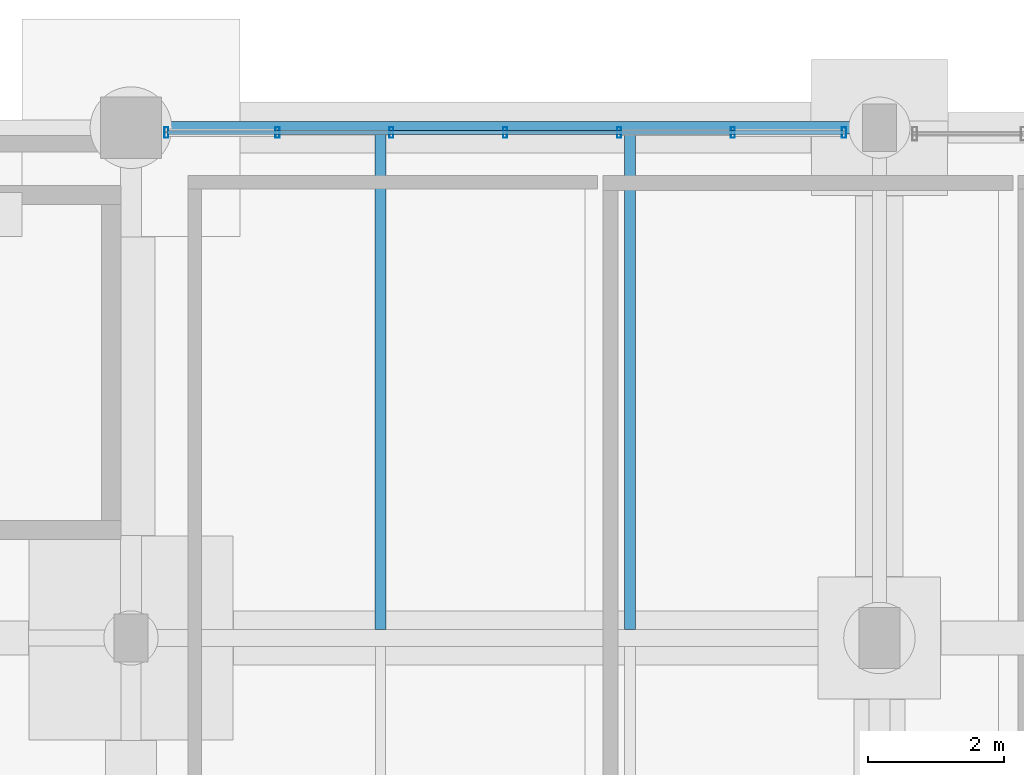
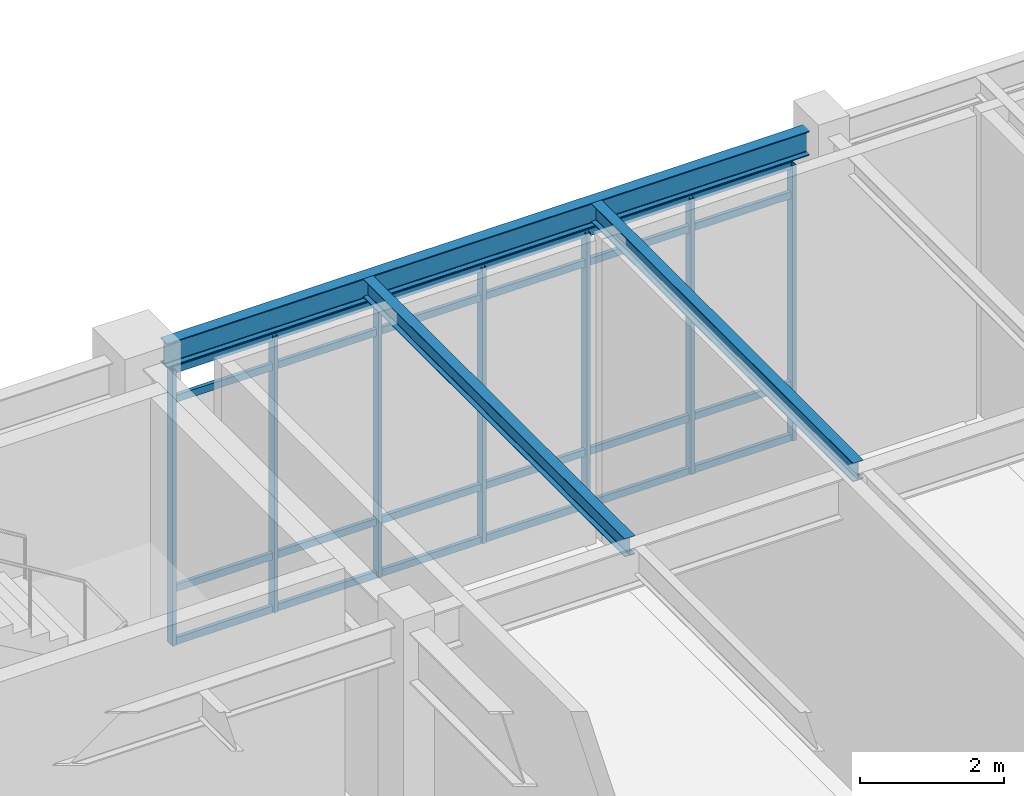
# One storey, part 38 of 203: 11 members, 3 beams, 1 element without a shape of its own.
"""IFC4 building model written with IfcOpenShell, lengths in metres."""

import ifcopenshell
import ifcopenshell.guid

model = None  # the IFC model being written
_history = None  # IfcOwnerHistory: only IFC2X3 demands one
_inside = {}  # id of a spatial element -> (the spatial element, [elements in it])
_under = {}  # id of a project, library or spatial element -> (it, [spatial elements below it])
_declared = {}  # id of a project -> (the project, [libraries it declares])
_typed = {}  # id of a type object -> (the type object, [elements of that type])
_made_of = {}  # id of a material, layer set ... -> (it, [elements and type objects made of it])


def new_model(schema):
    """Start an empty IFC model of exactly this schema.

    Asked for "IFC4X3", IfcOpenShell would pick the latest addendum, in which some entities
    have other attributes; the version numbers below select the first issue.
    IFC2X3 requires an IfcOwnerHistory on every rooted entity: one is made here for all.
    """
    global model, _history
    if schema == "IFC4X3":
        model = ifcopenshell.file(schema_version=(4, 3, 0, 0))
    else:
        model = ifcopenshell.file(schema=schema)
    _inside.clear()
    _under.clear()
    _declared.clear()
    _typed.clear()
    _made_of.clear()
    _history = None
    if model.schema == "IFC2X3":
        org = make("IfcOrganization", Name="unknown")
        user = make(
            "IfcPersonAndOrganization",
            ThePerson=make("IfcPerson", FamilyName="unknown"),
            TheOrganization=org,
        )
        app = make(
            "IfcApplication",
            ApplicationDeveloper=org,
            Version="unknown",
            ApplicationFullName="unknown",
            ApplicationIdentifier="unknown",
        )
        _history = make(
            "IfcOwnerHistory",
            OwningUser=user,
            OwningApplication=app,
            ChangeAction="ADDED",
            CreationDate=0,
        )
    return model


def make(cls, **values):
    """One entity of the class cls with the attributes given. An attribute that is None is left unset."""
    return model.create_entity(
        cls, **{name: value for name, value in values.items() if value is not None}
    )


def rooted(cls, **values):
    """An entity with a GlobalId (a new one), such as an element, a storey or a relation."""
    return make(cls, GlobalId=ifcopenshell.guid.new(), OwnerHistory=_history, **values)


def si_unit(unit_type, name, prefix=None):
    """IfcSIUnit, for example si_unit("LENGTHUNIT", "METRE", prefix="MILLI")."""
    return make("IfcSIUnit", UnitType=unit_type, Prefix=prefix, Name=name)


def assignment(units):
    """IfcUnitAssignment: the units of a project."""
    return None if units is None else make("IfcUnitAssignment", Units=units)


def point(xyz):
    """IfcCartesianPoint."""
    return None if xyz is None else make("IfcCartesianPoint", Coordinates=xyz)


def direction(xyz):
    """IfcDirection."""
    return None if xyz is None else make("IfcDirection", DirectionRatios=xyz)


def frame(location, z_axis=None, x_axis=None):
    """IfcAxis2Placement3D, a coordinate frame: its origin and axes. An axis left out is left unset."""
    return make(
        "IfcAxis2Placement3D",
        Location=point(location),
        Axis=direction(z_axis),
        RefDirection=direction(x_axis),
    )


def frame_2d(location, x_axis=None):
    """IfcAxis2Placement2D, a coordinate frame in the plane: its origin and x axis."""
    return make(
        "IfcAxis2Placement2D", Location=point(location), RefDirection=direction(x_axis)
    )


def origin():
    """The frame at (0, 0, 0) with its axes left unset."""
    return frame((0.0, 0.0, 0.0))


def origin_2d():
    """The frame at (0, 0) in the plane with its x axis left unset."""
    return frame_2d((0.0, 0.0))


def place(relative_to, where):
    """IfcLocalPlacement: puts the frame where relative to a parent placement (None: the world)."""
    return make(
        "IfcLocalPlacement", PlacementRelTo=relative_to, RelativePlacement=where
    )


def context(
    kind, dimensions, precision=None, world=None, true_north=None, identifier=None
):
    """IfcGeometricRepresentationContext, for example the 3D "Model" context."""
    return make(
        "IfcGeometricRepresentationContext",
        ContextIdentifier=identifier,
        ContextType=kind,
        CoordinateSpaceDimension=dimensions,
        Precision=precision,
        WorldCoordinateSystem=world,
        TrueNorth=true_north,
    )


def subcontext(parent, identifier, kind, view, scale=None):
    """IfcGeometricRepresentationSubContext, for example "Body" below "Model"."""
    return make(
        "IfcGeometricRepresentationSubContext",
        ContextIdentifier=identifier,
        ContextType=kind,
        ParentContext=parent,
        TargetScale=scale,
        TargetView=view,
    )


def project(units=None, contexts=None):
    """IfcProject with its units and contexts."""
    return rooted(
        "IfcProject",
        Name="project",
        RepresentationContexts=contexts,
        UnitsInContext=assignment(units),
    )


def spatial(cls, under=None, at=None, **own):
    """A site, building, storey or space (cls), placed at a placement, below another one or the project."""
    s = rooted(cls, ObjectPlacement=at, **own)
    if under is not None:
        _under.setdefault(under.id(), (under, []))[1].append(s)
    return s


def profile(cls, at=None, kind="AREA", **sizes):
    """A parametric profile (cls). Its sizes go by their IFC names, for example OverallWidth=200.0."""
    return make(cls, ProfileType=kind, Position=at, **sizes)


def hollow_rectangle(**sizes):
    """IfcRectangleHollowProfileDef."""
    return profile("IfcRectangleHollowProfileDef", **sizes)


def i_section(**sizes):
    """IfcIShapeProfileDef."""
    return profile("IfcIShapeProfileDef", **sizes)


def extrude(swept, where, along, depth):
    """IfcExtrudedAreaSolid: the profile swept, set in the frame where, extruded along a direction by depth."""
    return make(
        "IfcExtrudedAreaSolid",
        SweptArea=swept,
        Position=where,
        ExtrudedDirection=direction(along),
        Depth=depth,
    )


def shape(context_of_items, identifier, shape_type, items):
    """IfcShapeRepresentation: the items that make up one representation, for example the "Body"."""
    return make(
        "IfcShapeRepresentation",
        ContextOfItems=context_of_items,
        RepresentationIdentifier=identifier,
        RepresentationType=shape_type,
        Items=items,
    )


def material(Name=None, Category=None):
    """IfcMaterial."""
    return make("IfcMaterial", Name=Name, Category=Category)


def material_profile(
    of_material, cross_section, Name=None, Category=None, Priority=None
):
    """IfcMaterialProfile: a cross section and its material."""
    return make(
        "IfcMaterialProfile",
        Name=Name,
        Material=of_material,
        Profile=cross_section,
        Priority=Priority,
        Category=Category,
    )


def profile_set(profiles, Name=None, composite=None):
    """IfcMaterialProfileSet."""
    return make(
        "IfcMaterialProfileSet",
        Name=Name,
        MaterialProfiles=profiles,
        CompositeProfile=composite,
    )


def made_of(thing, what):
    """Note that an element or type object is made of a material, layer set ...; save() writes the relation."""
    if what is not None:
        _made_of.setdefault(what.id(), (what, []))[1].append(thing)
    return thing


def type_object(cls, material=None, **own):
    """A type object (cls), such as IfcWallType, which elements share."""
    return made_of(rooted(cls, **own), material)


def element(
    cls,
    number,
    at=None,
    inside=None,
    cuts=None,
    type_object=None,
    material=None,
    context=None,
    identifier="Body",
    shape_type=None,
    held_by="IfcProductDefinitionShape",
    body=None,
    shapes=None,
    **own,
):
    """One element of the class cls, such as IfcWall. Its Tag is "e" and its number.

    at: its placement. inside: the storey or other place that contains it. cuts: it is an
    opening in that element (IfcRelVoidsElement). A single representation is given by context,
    identifier, shape_type and body (its items); several are given by shapes. held_by: the class
    of the entity that holds the representations. save() writes the other relations.
    """
    e = rooted(cls, Tag="e%d" % number, ObjectPlacement=at, **own)
    if body is not None:
        shapes = [shape(context, identifier, shape_type, body)]
    if shapes is not None:
        e.Representation = make(held_by, Representations=shapes)
    if inside is not None:
        _inside.setdefault(inside.id(), (inside, []))[1].append(e)
    if cuts is not None:
        rooted(
            "IfcRelVoidsElement", RelatingBuildingElement=cuts, RelatedOpeningElement=e
        )
    if type_object is not None:
        _typed.setdefault(type_object.id(), (type_object, []))[1].append(e)
    return made_of(e, material)


def aggregate(whole, parts):
    """IfcRelAggregates: a whole, such as a stair, and the parts it consists of."""
    return rooted("IfcRelAggregates", RelatingObject=whole, RelatedObjects=parts)


def save(model, path):
    """Write the relations noted so far, then the file.

    IfcRelAggregates (storeys below a building ...), IfcRelContainedInSpatialStructure (elements
    in a storey), IfcRelDefinesByType, IfcRelAssociatesMaterial and IfcRelDeclares: one each for
    every whole, place, type object, material and project.
    """
    for whole, parts in _under.values():
        aggregate(whole, parts)
    for where, things in _inside.values():
        rooted(
            "IfcRelContainedInSpatialStructure",
            RelatedElements=things,
            RelatingStructure=where,
        )
    for kind, things in _typed.values():
        rooted("IfcRelDefinesByType", RelatedObjects=things, RelatingType=kind)
    for what, things in _made_of.values():
        rooted("IfcRelAssociatesMaterial", RelatedObjects=things, RelatingMaterial=what)
    for by, libraries in _declared.values():
        rooted("IfcRelDeclares", RelatingContext=by, RelatedDefinitions=libraries)
    model.write(path)


model = new_model("IFC4")

# Units and contexts
model_context = context("Model", 3, precision=1e-05, world=origin(), true_north=direction((0.0, 1.0)))
body_context = subcontext(model_context, "Body", "Model", "MODEL_VIEW")
ifc_project = project(units=[si_unit("LENGTHUNIT", "METRE"), si_unit("AREAUNIT", "SQUARE_METRE"), si_unit("VOLUMEUNIT", "CUBIC_METRE"), si_unit("PLANEANGLEUNIT", "RADIAN"), si_unit("MASSUNIT", "GRAM", prefix="KILO"), si_unit("THERMODYNAMICTEMPERATUREUNIT", "KELVIN"), si_unit("POWERUNIT", "WATT")], contexts=[model_context])

# Site, building, storey
site_placement = place(None, origin())
site = spatial("IfcSite", under=ifc_project, at=site_placement, CompositionType="ELEMENT")
building_placement = place(site_placement, origin())
building = spatial("IfcBuilding", under=site, at=building_placement, Name="Tepalcoro Natatorium and Aquatics Centre", CompositionType="ELEMENT")
storey_placement = place(building_placement, origin())
storey = spatial("IfcBuildingStorey", under=building, at=storey_placement, Name="L00", CompositionType="ELEMENT", Elevation=0.0)

# Curtain wall, members
ifc_material_1 = material(Name="Bronze-Anodised Extruded Aluminium Alloy EN AW-6063 T6", Category="aluminium")
curtain_wall_type = type_object("IfcCurtainWallType", Name="CW_LEAN_T1_EW", PredefinedType="USERDEFINED", material=ifc_material_1)
curtain_wall_placement = place(storey_placement, origin())
curtain_wall = element("IfcCurtainWall", 1, at=curtain_wall_placement, inside=storey, type_object=curtain_wall_type, Name="V3 L00 N Unitised Curtain Wall Bay 2", ObjectType="FACETED SOLAR GLAZING", PredefinedType="USERDEFINED")
ifc_material_profile_1 = material_profile(ifc_material_1, hollow_rectangle(XDim=0.06005859375, YDim=0.159912109375, WallThickness=0.00390625, at=origin_2d()), Name="AL60X160X4")
ifc_profile_set_1 = profile_set([ifc_material_profile_1], Name="Bronze-Anodised Extruded Aluminium Alloy EN AW-6063 T6")
member_type_1 = type_object("IfcMemberType", Name="CW_MUL_60x160", PredefinedType="MULLION", material=ifc_profile_set_1)
member_1_placement = place(storey_placement, frame((10.52001953125, 51.4287109375, 0.02001953125), z_axis=(0.0, 0.0, 1.0), x_axis=(1.0, 0.0, 0.0)))
member_1 = element("IfcMember", 2, at=member_1_placement, type_object=member_type_1, Name="CW_LEAN_T1_EW Curtain Wall Mullion", PredefinedType="MULLION", context=body_context, shape_type="SweptSolid", body=[
    extrude(hollow_rectangle(XDim=0.06005859375, YDim=0.159912109375, WallThickness=0.00390625, at=origin_2d()), origin(), (0.0, 0.0, 1.0), 4.677001953125),
])
member_2_placement = place(storey_placement, frame((12.1533203125, 51.4287109375, 0.02001953125), z_axis=(0.0, 0.0, 1.0), x_axis=(1.0, 0.0, 0.0)))
member_2 = element("IfcMember", 3, at=member_2_placement, type_object=member_type_1, Name="CW_LEAN_T1_EW Curtain Wall Mullion", PredefinedType="MULLION", context=body_context, shape_type="SweptSolid", body=[
    extrude(hollow_rectangle(XDim=0.06005859375, YDim=0.159912109375, WallThickness=0.00390625, at=origin_2d()), origin(), (0.0, 0.0, 1.0), 4.677001953125),
])
member_3_placement = place(storey_placement, frame((13.82666015625, 51.4287109375, 0.02001953125), z_axis=(0.0, 0.0, 1.0), x_axis=(1.0, 0.0, 0.0)))
member_3 = element("IfcMember", 4, at=member_3_placement, type_object=member_type_1, Name="CW_LEAN_T1_EW Curtain Wall Mullion", PredefinedType="MULLION", context=body_context, shape_type="SweptSolid", body=[
    extrude(hollow_rectangle(XDim=0.06005859375, YDim=0.159912109375, WallThickness=0.00390625, at=origin_2d()), origin(), (0.0, 0.0, 1.0), 4.677001953125),
])
member_4_placement = place(storey_placement, frame((15.5, 51.4287109375, 0.02001953125), z_axis=(0.0, 0.0, 1.0), x_axis=(1.0, 0.0, 0.0)))
member_4 = element("IfcMember", 5, at=member_4_placement, type_object=member_type_1, Name="CW_LEAN_T1_EW Curtain Wall Mullion", PredefinedType="MULLION", context=body_context, shape_type="SweptSolid", body=[
    extrude(hollow_rectangle(XDim=0.06005859375, YDim=0.159912109375, WallThickness=0.00390625, at=origin_2d()), origin(), (0.0, 0.0, 1.0), 4.677001953125),
])
member_5_placement = place(storey_placement, frame((17.17333984375, 51.4287109375, 0.02001953125), z_axis=(0.0, 0.0, 1.0), x_axis=(1.0, 0.0, 0.0)))
member_5 = element("IfcMember", 6, at=member_5_placement, type_object=member_type_1, Name="CW_LEAN_T1_EW Curtain Wall Mullion", PredefinedType="MULLION", context=body_context, shape_type="SweptSolid", body=[
    extrude(hollow_rectangle(XDim=0.06005859375, YDim=0.159912109375, WallThickness=0.00390625, at=origin_2d()), origin(), (0.0, 0.0, 1.0), 4.677001953125),
])
member_6_placement = place(storey_placement, frame((18.8466796875, 51.4287109375, 0.02001953125), z_axis=(0.0, 0.0, 1.0), x_axis=(1.0, 0.0, 0.0)))
member_6 = element("IfcMember", 7, at=member_6_placement, type_object=member_type_1, Name="CW_LEAN_T1_EW Curtain Wall Mullion", PredefinedType="MULLION", context=body_context, shape_type="SweptSolid", body=[
    extrude(hollow_rectangle(XDim=0.06005859375, YDim=0.159912109375, WallThickness=0.00390625, at=origin_2d()), origin(), (0.0, 0.0, 1.0), 4.677001953125),
])
member_7_placement = place(storey_placement, frame((20.47998046875, 51.4287109375, 0.02001953125), z_axis=(0.0, 0.0, 1.0), x_axis=(1.0, 0.0, 0.0)))
member_7 = element("IfcMember", 8, at=member_7_placement, type_object=member_type_1, Name="CW_LEAN_T1_EW Curtain Wall Mullion", PredefinedType="MULLION", context=body_context, shape_type="SweptSolid", body=[
    extrude(hollow_rectangle(XDim=0.06005859375, YDim=0.159912109375, WallThickness=0.00390625, at=origin_2d()), origin(), (0.0, 0.0, 1.0), 4.677001953125),
])
ifc_material_profile_2 = material_profile(ifc_material_1, hollow_rectangle(XDim=0.06005859375, YDim=0.1201171875, WallThickness=0.00390625, at=origin_2d()), Name="AL60X120X4")
ifc_profile_set_2 = profile_set([ifc_material_profile_2], Name="Bronze-Anodised Extruded Aluminium Alloy EN AW-6063 T6")
member_type_2 = type_object("IfcMemberType", Name="CW_TRN_60x120", PredefinedType="USERDEFINED", material=ifc_profile_set_2)
member_8_placement = place(storey_placement, frame((10.530029296875, 51.4287109375, 0.050048828125), z_axis=(1.0, 0.0, 0.0), x_axis=(0.0, 1.0, 0.0)))
member_8 = element("IfcMember", 9, at=member_8_placement, type_object=member_type_2, Name="CW_LEAN_T1_EW Curtain Wall Transom", ObjectType="TRANSOM", PredefinedType="USERDEFINED", context=body_context, shape_type="SweptSolid", body=[
    extrude(hollow_rectangle(XDim=0.06005859375, YDim=0.1201171875, WallThickness=0.00390625, at=origin_2d()), origin(), (0.0, 0.0, 1.0), 9.93994140625),
])
member_9_placement = place(storey_placement, frame((10.530029296875, 51.4287109375, 0.949951171875), z_axis=(1.0, 0.0, 0.0), x_axis=(0.0, 1.0, 0.0)))
member_9 = element("IfcMember", 10, at=member_9_placement, type_object=member_type_2, Name="CW_LEAN_T1_EW Curtain Wall Transom", ObjectType="TRANSOM", PredefinedType="USERDEFINED", context=body_context, shape_type="SweptSolid", body=[
    extrude(hollow_rectangle(XDim=0.06005859375, YDim=0.1201171875, WallThickness=0.00390625, at=origin_2d()), origin(), (0.0, 0.0, 1.0), 9.93994140625),
])
member_10_placement = place(storey_placement, frame((10.530029296875, 51.4287109375, 4.1669921875), z_axis=(1.0, 0.0, 0.0), x_axis=(0.0, 1.0, 0.0)))
member_10 = element("IfcMember", 11, at=member_10_placement, type_object=member_type_2, Name="CW_LEAN_T1_EW Curtain Wall Transom", ObjectType="TRANSOM", PredefinedType="USERDEFINED", context=body_context, shape_type="SweptSolid", body=[
    extrude(hollow_rectangle(XDim=0.06005859375, YDim=0.1201171875, WallThickness=0.00390625, at=origin_2d()), origin(), (0.0, 0.0, 1.0), 9.93994140625),
])
member_11_placement = place(storey_placement, frame((10.530029296875, 51.4287109375, 4.6669921875), z_axis=(1.0, 0.0, 0.0), x_axis=(0.0, 1.0, 0.0)))
member_11 = element("IfcMember", 12, at=member_11_placement, type_object=member_type_2, Name="CW_LEAN_T1_EW Curtain Wall Transom", ObjectType="TRANSOM", PredefinedType="USERDEFINED", context=body_context, shape_type="SweptSolid", body=[
    extrude(hollow_rectangle(XDim=0.06005859375, YDim=0.1201171875, WallThickness=0.00390625, at=origin_2d()), origin(), (0.0, 0.0, 1.0), 9.93994140625),
])
aggregate(curtain_wall, [member_1, member_2, member_3, member_4, member_5, member_6, member_7, member_8, member_9, member_10, member_11])

# Beams
ifc_material_2 = material(Name="Steel ASTM A992 Grade 50 (Fy 345 MPa)", Category="steel")
ifc_material_profile_3 = material_profile(ifc_material_2, i_section(OverallWidth=0.1650390625, OverallDepth=0.31005859375, WebThickness=0.006103515625, FlangeThickness=0.010009765625, FilletRadius=0.013916015625, at=origin_2d()), Name="W12X26")
ifc_profile_set_3 = profile_set([ifc_material_profile_3], Name="Steel ASTM A992 Grade 50 (Fy 345 MPa)")
beam_type_1 = type_object("IfcBeamType", Name="JS_W12x26", PredefinedType="JOIST", material=ifc_profile_set_3)
beam_1_placement = place(storey_placement, frame((13.666748046875, 44.126953125, 4.989990234375), z_axis=(0.0, 1.0, 0.0), x_axis=(-1.0, 0.0, 0.0)))
element("IfcBeam", 13, at=beam_1_placement, inside=storey, type_object=beam_type_1, Name="V3 L00 Floor Joist", PredefinedType="JOIST", context=body_context, shape_type="SweptSolid", body=[
    extrude(i_section(OverallWidth=0.1650390625, OverallDepth=0.31005859375, WebThickness=0.006103515625, FlangeThickness=0.010009765625, FilletRadius=0.013916015625, at=origin_2d()), origin(), (0.0, 0.0, 1.0), 7.282958984375),
])
ifc_material_profile_4 = material_profile(ifc_material_2, i_section(OverallWidth=0.1669921875, OverallDepth=0.318115234375, WebThickness=0.008056640625, FlangeThickness=0.012939453125, FilletRadius=0.013916015625, at=origin_2d()), Name="W12X35")
ifc_profile_set_4 = profile_set([ifc_material_profile_4], Name="Steel ASTM A992 Grade 50 (Fy 345 MPa)")
beam_type_2 = type_object("IfcBeamType", Name="JS_W12x35", PredefinedType="JOIST", material=ifc_profile_set_4)
beam_2_placement = place(storey_placement, frame((17.333251953125, 44.126953125, 4.986083984375), z_axis=(0.0, 1.0, 0.0), x_axis=(-1.0, 0.0, 0.0)))
element("IfcBeam", 14, at=beam_2_placement, inside=storey, type_object=beam_type_2, Name="V3 L00 Floor Joist", PredefinedType="JOIST", context=body_context, shape_type="SweptSolid", body=[
    extrude(i_section(OverallWidth=0.1669921875, OverallDepth=0.318115234375, WebThickness=0.008056640625, FlangeThickness=0.012939453125, FilletRadius=0.013916015625, at=origin_2d()), origin(), (0.0, 0.0, 1.0), 7.282958984375),
])
ifc_material_profile_5 = material_profile(ifc_material_2, i_section(OverallWidth=0.179931640625, OverallDepth=0.4130859375, WebThickness=0.010009765625, FlangeThickness=0.01611328125, FilletRadius=0.013916015625, at=origin_2d()), Name="W16X50")
ifc_profile_set_5 = profile_set([ifc_material_profile_5], Name="Steel ASTM A992 Grade 50 (Fy 345 MPa)")
beam_type_3 = type_object("IfcBeamType", Name="SP_HSS300x200x12", PredefinedType="SPANDREL", material=ifc_profile_set_5)
beam_3_placement = place(storey_placement, frame((10.43505859375, 51.5, 4.9384765625), z_axis=(1.0, 0.0, 0.0), x_axis=(0.0, 1.0, 0.0)))
element("IfcBeam", 15, at=beam_3_placement, inside=storey, type_object=beam_type_3, Name="V3 L00 Grid Girder X", PredefinedType="SPANDREL", context=body_context, shape_type="SweptSolid", body=[
    extrude(i_section(OverallWidth=0.179931640625, OverallDepth=0.4130859375, WebThickness=0.010009765625, FlangeThickness=0.01611328125, FilletRadius=0.013916015625, at=origin_2d()), origin(), (0.0, 0.0, 1.0), 10.329833984375),
])

save(model, "model.ifc")
